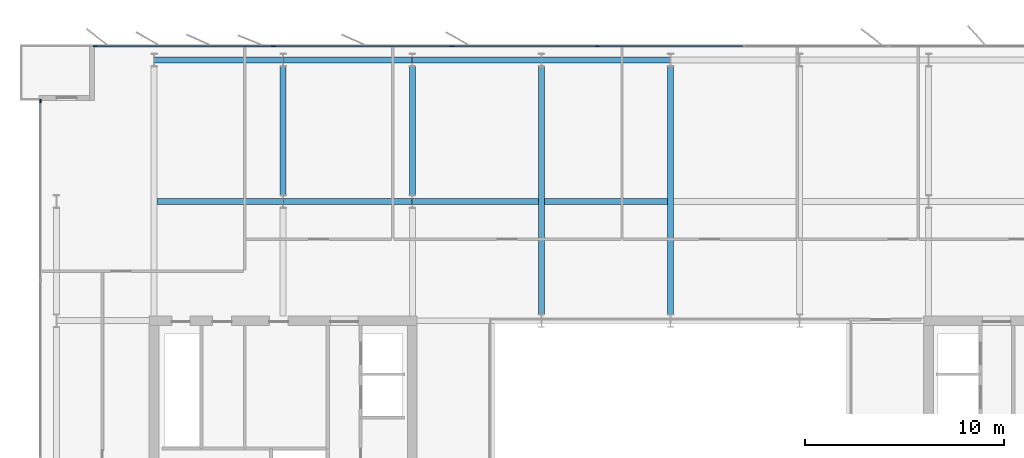
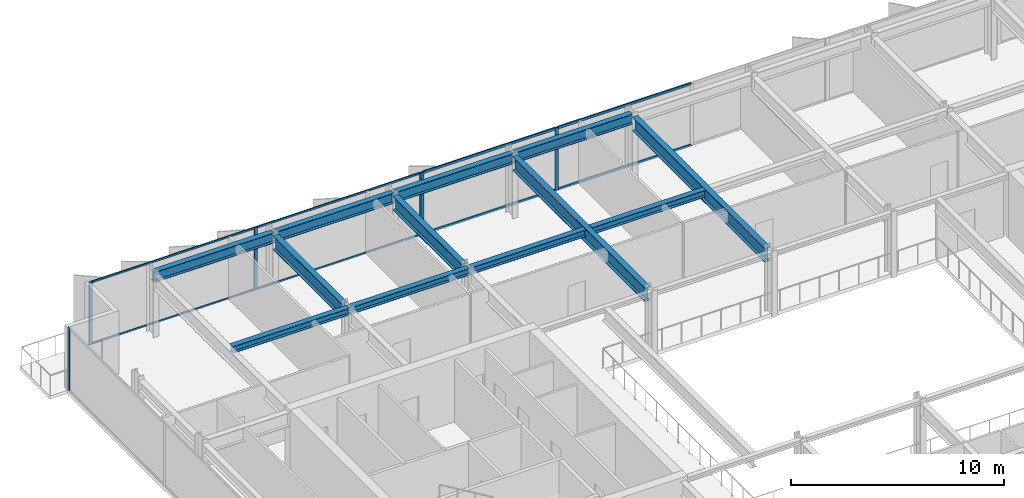
# One storey, part 8 of 20: 14 members, 12 beams, 3 elements without a shape of their own.
"""IFC4 building model written with IfcOpenShell, lengths in metres."""

from ifc_helpers import new_model, si_unit, direction, frame, origin, origin_2d, place, context, subcontext, project, spatial, rectangle, i_section, extrude, material, layer, layer_set, material_profile, profile_set, type_object, element, aggregate, save


model = new_model("IFC4")

# Units and contexts
model_context = context("Model", 3, precision=1e-05, world=origin(), true_north=direction((0.0, 1.0)))
body_context = subcontext(model_context, "Body", "Model", "MODEL_VIEW")
ifc_project = project(units=[si_unit("LENGTHUNIT", "METRE"), si_unit("AREAUNIT", "SQUARE_METRE"), si_unit("VOLUMEUNIT", "CUBIC_METRE"), si_unit("PLANEANGLEUNIT", "RADIAN"), si_unit("MASSUNIT", "GRAM", prefix="KILO")], contexts=[model_context])

# Site, building, storey
site_placement = place(None, origin())
site = spatial("IfcSite", under=ifc_project, at=site_placement, CompositionType="ELEMENT")
building_placement = place(site_placement, origin())
building = spatial("IfcBuilding", under=site, at=building_placement, Name="Putna Gate Headquarters", CompositionType="ELEMENT")
storey_placement = place(building_placement, frame((0.0, 0.0, 270.800048828125)))
storey = spatial("IfcBuildingStorey", under=building, at=storey_placement, Name="L68", CompositionType="ELEMENT", Elevation=270.800048828125)

# Beams
ifc_material_1 = material(Name="Steel S355J2", Category="steel")
ifc_material_profile_1 = material_profile(ifc_material_1, i_section(OverallWidth=0.300048828125, OverallDepth=0.800048828125, WebThickness=0.017578125, FlangeThickness=0.032958984375, at=origin_2d()), Name="Steel S355J2")
ifc_profile_set_1 = profile_set([ifc_material_profile_1], Name="Steel S355J2")
beam_type_1 = type_object("IfcBeamType", Name="BM-GIRD-P-HEB800", PredefinedType="USERDEFINED", material=ifc_profile_set_1)
for number, where, z_axis, x_axis, name in (
    (1, (19.5, 39.322021484375, 3.18798828125), (0.0, 1.0, 0.0), (-1.0, 0.0, 0.0), "L68 North Primary Girder X19-2"),
    (2, (26.0, 39.322021484375, 3.18798828125), (0.0, 1.0, 0.0), (-1.0, 0.0, 0.0), "L68 North Primary Girder X26-2"),
):
    element("IfcBeam", number, at=place(storey_placement, frame(where, z_axis=z_axis, x_axis=x_axis)), inside=storey, type_object=beam_type_1, Name=name, ObjectType="GIRDER", PredefinedType="USERDEFINED", context=body_context, shape_type="SweptSolid", body=[
        extrude(i_section(OverallWidth=0.300048828125, OverallDepth=0.800048828125, WebThickness=0.017578125, FlangeThickness=0.032958984375, at=origin_2d()), origin(), (0.0, 0.0, 1.0), 6.47607421875),
    ])
for number, where, z_axis, x_axis, name in (
    (3, (32.5, 33.322021484375, 3.18798828125), (0.0, 1.0, 0.0), (-1.0, 0.0, 0.0), "L68 North Primary Girder X32"),
    (4, (39.0, 33.322021484375, 3.18798828125), (0.0, 1.0, 0.0), (-1.0, 0.0, 0.0), "L68 North Primary Girder X39"),
):
    element("IfcBeam", number, at=place(storey_placement, frame(where, z_axis=z_axis, x_axis=x_axis)), inside=storey, type_object=beam_type_1, Name=name, ObjectType="GIRDER", PredefinedType="USERDEFINED", context=body_context, shape_type="SweptSolid", body=[
        extrude(i_section(OverallWidth=0.300048828125, OverallDepth=0.800048828125, WebThickness=0.017578125, FlangeThickness=0.032958984375, at=origin_2d()), origin(), (0.0, 0.0, 1.0), 12.47607421875),
    ])
ifc_material_profile_2 = material_profile(ifc_material_1, i_section(OverallWidth=0.300048828125, OverallDepth=0.389892578125, WebThickness=0.010986328125, FlangeThickness=0.01904296875, at=origin_2d()), Name="Steel S355J2")
ifc_profile_set_2 = profile_set([ifc_material_profile_2], Name="Steel S355J2")
beam_type_2 = type_object("IfcBeamType", Name="BM-SEC-Z5-HEA400", PredefinedType="BEAM", material=ifc_profile_set_2)
beam_1_placement = place(storey_placement, frame((13.154052734375, 39.0, 3.39306640625), z_axis=(1.0, 0.0, 0.0), x_axis=(0.0, 1.0, 0.0)))
element("IfcBeam", 5, at=beam_1_placement, inside=storey, type_object=beam_type_2, Name="L68 North Secondary Beam 1", PredefinedType="BEAM", context=body_context, shape_type="SweptSolid", body=[
    extrude(i_section(OverallWidth=0.300048828125, OverallDepth=0.389892578125, WebThickness=0.010986328125, FlangeThickness=0.01904296875, at=origin_2d()), origin(), (0.0, 0.0, 1.0), 6.33984375),
])
beam_2_placement = place(storey_placement, frame((19.506103515625, 39.0, 3.39306640625), z_axis=(1.0, 0.0, 0.0), x_axis=(0.0, 1.0, 0.0)))
element("IfcBeam", 6, at=beam_2_placement, inside=storey, type_object=beam_type_2, Name="L68 North Secondary Beam 2", PredefinedType="BEAM", context=body_context, shape_type="SweptSolid", body=[
    extrude(i_section(OverallWidth=0.300048828125, OverallDepth=0.389892578125, WebThickness=0.010986328125, FlangeThickness=0.01904296875, at=origin_2d()), origin(), (0.0, 0.0, 1.0), 6.48779296875),
])
beam_3_placement = place(storey_placement, frame((26.006103515625, 39.0, 3.39306640625), z_axis=(1.0, 0.0, 0.0), x_axis=(0.0, 1.0, 0.0)))
element("IfcBeam", 7, at=beam_3_placement, inside=storey, type_object=beam_type_2, Name="L68 North Secondary Beam 3", PredefinedType="BEAM", context=body_context, shape_type="SweptSolid", body=[
    extrude(i_section(OverallWidth=0.300048828125, OverallDepth=0.389892578125, WebThickness=0.010986328125, FlangeThickness=0.01904296875, at=origin_2d()), origin(), (0.0, 0.0, 1.0), 6.33984375),
])
beam_4_placement = place(storey_placement, frame((32.654052734375, 39.0, 3.39306640625), z_axis=(1.0, 0.0, 0.0), x_axis=(0.0, 1.0, 0.0)))
element("IfcBeam", 8, at=beam_4_placement, inside=storey, type_object=beam_type_2, Name="L68 North Secondary Beam 4", PredefinedType="BEAM", context=body_context, shape_type="SweptSolid", body=[
    extrude(i_section(OverallWidth=0.300048828125, OverallDepth=0.389892578125, WebThickness=0.010986328125, FlangeThickness=0.01904296875, at=origin_2d()), origin(), (0.0, 0.0, 1.0), 6.19189453125),
])
ifc_material_profile_3 = material_profile(ifc_material_1, i_section(OverallWidth=0.300048828125, OverallDepth=0.590087890625, WebThickness=0.012939453125, FlangeThickness=0.02490234375, at=origin_2d()), Name="Steel S355J2")
ifc_profile_set_3 = profile_set([ifc_material_profile_3], Name="Steel S355J2")
beam_type_3 = type_object("IfcBeamType", Name="BM-SPAN-Z4-HEA600", PredefinedType="SPANDREL", material=ifc_profile_set_3)
for number, where, z_axis, x_axis, name in (
    (9, (13.006103515625, 46.1201171875, 3.29296875), (1.0, 0.0, 0.0), (0.0, 1.0, 0.0), "L68 N Perimeter Spandrel 1"),
    (10, (19.506103515625, 46.1201171875, 3.29296875), (1.0, 0.0, 0.0), (0.0, 1.0, 0.0), "L68 N Perimeter Spandrel 2"),
    (11, (26.006103515625, 46.1201171875, 3.29296875), (1.0, 0.0, 0.0), (0.0, 1.0, 0.0), "L68 N Perimeter Spandrel 3"),
    (12, (32.506103515625, 46.1201171875, 3.29296875), (1.0, 0.0, 0.0), (0.0, 1.0, 0.0), "L68 N Perimeter Spandrel 4"),
):
    element("IfcBeam", number, at=place(storey_placement, frame(where, z_axis=z_axis, x_axis=x_axis)), inside=storey, type_object=beam_type_3, Name=name, PredefinedType="SPANDREL", context=body_context, shape_type="SweptSolid", body=[
        extrude(i_section(OverallWidth=0.300048828125, OverallDepth=0.590087890625, WebThickness=0.012939453125, FlangeThickness=0.02490234375, at=origin_2d()), origin(), (0.0, 0.0, 1.0), 6.48779296875),
    ])

# Curtain wall, members
ifc_material_2 = material(Name="Anodised bronze aluminium curtain wall", Category="aluminium")
ifc_layer_1 = layer(ifc_material_2, 0.179931640625)
ifc_layer_set_1 = layer_set([ifc_layer_1], Name="Anodised bronze aluminium curtain wall")
curtain_wall_type_1 = type_object("IfcCurtainWallType", Name="CW-SYS-Z5", PredefinedType="USERDEFINED", material=ifc_layer_set_1)
curtain_wall_1_placement = place(storey_placement, origin())
curtain_wall_1 = element("IfcCurtainWall", 13, at=curtain_wall_1_placement, inside=storey, type_object=curtain_wall_type_1, Name="L68 North West Curtain Wall", ObjectType="STICK CURTAIN WALL", PredefinedType="USERDEFINED")
ifc_material_3 = material(Name="Anodised bronze aluminium EN AW-6060", Category="aluminium")
ifc_material_profile_4 = material_profile(ifc_material_3, rectangle(XDim=0.070068359375, YDim=0.179931640625, at=origin_2d()), Name="Anodised bronze aluminium EN AW-6060")
ifc_profile_set_4 = profile_set([ifc_material_profile_4], Name="Anodised bronze aluminium EN AW-6060")
member_type_1 = type_object("IfcMemberType", Name="MULL-CWM-5", PredefinedType="MULLION", material=ifc_profile_set_4)
member_1_placement = place(storey_placement, frame((10.034912109375, 46.820068359375, 0.0), z_axis=(0.0, 0.0, 1.0), x_axis=(0.0, 1.0, 0.0)))
member_1 = element("IfcMember", 14, at=member_1_placement, type_object=member_type_1, Name="CWS-5 mullion 1", PredefinedType="MULLION", context=body_context, shape_type="SweptSolid", body=[
    extrude(rectangle(XDim=0.070068359375, YDim=0.179931640625, at=origin_2d()), origin(), (0.0, 0.0, 1.0), 3.587890625),
])
member_2_placement = place(storey_placement, frame((19.0, 46.820068359375, 0.0), z_axis=(0.0, 0.0, 1.0), x_axis=(0.0, 1.0, 0.0)))
member_2 = element("IfcMember", 15, at=member_2_placement, type_object=member_type_1, Name="CWS-5 mullion 2", PredefinedType="MULLION", context=body_context, shape_type="SweptSolid", body=[
    extrude(rectangle(XDim=0.070068359375, YDim=0.179931640625, at=origin_2d()), origin(), (0.0, 0.0, 1.0), 3.587890625),
])
member_3_placement = place(storey_placement, frame((27.965087890625, 46.820068359375, 0.0), z_axis=(0.0, 0.0, 1.0), x_axis=(0.0, 1.0, 0.0)))
member_3 = element("IfcMember", 16, at=member_3_placement, type_object=member_type_1, Name="CWS-5 mullion 3", PredefinedType="MULLION", context=body_context, shape_type="SweptSolid", body=[
    extrude(rectangle(XDim=0.070068359375, YDim=0.179931640625, at=origin_2d()), origin(), (0.0, 0.0, 1.0), 3.587890625),
])

# Curtain wall, member
curtain_wall_2_placement = place(storey_placement, origin())
curtain_wall_2 = element("IfcCurtainWall", 17, at=curtain_wall_2_placement, inside=storey, type_object=curtain_wall_type_1, Name="L68 West Curtain Wall", ObjectType="STICK CURTAIN WALL", PredefinedType="USERDEFINED")
member_4_placement = place(storey_placement, frame((7.280029296875, 44.06494140625, 0.0), z_axis=(0.0, 0.0, 1.0), x_axis=(-1.0, 0.0, 0.0)))
member_4 = element("IfcMember", 18, at=member_4_placement, type_object=member_type_1, Name="CWS-5 mullion 5", PredefinedType="MULLION", context=body_context, shape_type="SweptSolid", body=[
    extrude(rectangle(XDim=0.070068359375, YDim=0.179931640625, at=origin_2d()), origin(), (0.0, 0.0, 1.0), 3.587890625),
])
aggregate(curtain_wall_2, [member_4])

# Curtain wall, members
ifc_layer_2 = layer(ifc_material_2, 0.179931640625)
ifc_layer_set_2 = layer_set([ifc_layer_2], Name="Anodised bronze aluminium curtain wall")
curtain_wall_type_2 = type_object("IfcCurtainWallType", Name="CW-SYS-ATR", PredefinedType="USERDEFINED", material=ifc_layer_set_2)
curtain_wall_3_placement = place(storey_placement, origin())
curtain_wall_3 = element("IfcCurtainWall", 19, at=curtain_wall_3_placement, inside=storey, type_object=curtain_wall_type_2, Name="L68 North Atrium Clear Glazing", ObjectType="ATRIUM GLAZING", PredefinedType="USERDEFINED")
ifc_material_profile_5 = material_profile(ifc_material_3, rectangle(XDim=0.070068359375, YDim=0.179931640625, at=origin_2d()), Name="Anodised bronze aluminium EN AW-6060")
ifc_profile_set_5 = profile_set([ifc_material_profile_5], Name="Anodised bronze aluminium EN AW-6060")
member_type_2 = type_object("IfcMemberType", Name="MULL-CWM-AT", PredefinedType="MULLION", material=ifc_profile_set_5)
member_5_placement = place(storey_placement, frame((28.034912109375, 46.820068359375, 0.0), z_axis=(0.0, 0.0, 1.0), x_axis=(0.0, 1.0, 0.0)))
member_5 = element("IfcMember", 20, at=member_5_placement, type_object=member_type_2, Name="CWS-AT mullion 1", PredefinedType="MULLION", context=body_context, shape_type="SweptSolid", body=[
    extrude(rectangle(XDim=0.070068359375, YDim=0.179931640625, at=origin_2d()), origin(), (0.0, 0.0, 1.0), 3.587890625),
])
member_6_placement = place(storey_placement, frame((35.333251953125, 46.820068359375, 0.0), z_axis=(0.0, 0.0, 1.0), x_axis=(0.0, 1.0, 0.0)))
member_6 = element("IfcMember", 21, at=member_6_placement, type_object=member_type_2, Name="CWS-AT mullion 2", PredefinedType="MULLION", context=body_context, shape_type="SweptSolid", body=[
    extrude(rectangle(XDim=0.070068359375, YDim=0.179931640625, at=origin_2d()), origin(), (0.0, 0.0, 1.0), 3.587890625),
])

# Member
ifc_material_profile_6 = material_profile(ifc_material_3, rectangle(XDim=0.06005859375, YDim=0.10009765625, at=origin_2d()), Name="Anodised bronze aluminium EN AW-6060")
ifc_profile_set_6 = profile_set([ifc_material_profile_6], Name="Anodised bronze aluminium EN AW-6060")
member_type_3 = type_object("IfcMemberType", Name="TRAN-CWT-5", PredefinedType="USERDEFINED", material=ifc_profile_set_6)
member_7_placement = place(storey_placement, frame((10.070068359375, 46.820068359375, 0.030029296875), z_axis=(1.0, 0.0, 0.0), x_axis=(0.0, 1.0, 0.0)))
member_7 = element("IfcMember", 22, at=member_7_placement, type_object=member_type_3, Name="CWS-5 transom 1.1", ObjectType="TRANSOM", PredefinedType="USERDEFINED", context=body_context, shape_type="SweptSolid", body=[
    extrude(rectangle(XDim=0.06005859375, YDim=0.10009765625, at=origin_2d()), origin(), (0.0, 0.0, 1.0), 8.89501953125),
])

member_8_placement = place(storey_placement, frame((10.070068359375, 46.820068359375, 3.557861328125), z_axis=(1.0, 0.0, 0.0), x_axis=(0.0, 1.0, 0.0)))
member_8 = element("IfcMember", 23, at=member_8_placement, type_object=member_type_3, Name="CWS-5 transom 1.2", ObjectType="TRANSOM", PredefinedType="USERDEFINED", context=body_context, shape_type="SweptSolid", body=[
    extrude(rectangle(XDim=0.06005859375, YDim=0.10009765625, at=origin_2d()), origin(), (0.0, 0.0, 1.0), 8.89501953125),
])

member_9_placement = place(storey_placement, frame((19.034912109375, 46.820068359375, 0.030029296875), z_axis=(1.0, 0.0, 0.0), x_axis=(0.0, 1.0, 0.0)))
member_9 = element("IfcMember", 24, at=member_9_placement, type_object=member_type_3, Name="CWS-5 transom 2.1", ObjectType="TRANSOM", PredefinedType="USERDEFINED", context=body_context, shape_type="SweptSolid", body=[
    extrude(rectangle(XDim=0.06005859375, YDim=0.10009765625, at=origin_2d()), origin(), (0.0, 0.0, 1.0), 8.89501953125),
])

member_10_placement = place(storey_placement, frame((19.034912109375, 46.820068359375, 3.557861328125), z_axis=(1.0, 0.0, 0.0), x_axis=(0.0, 1.0, 0.0)))
member_10 = element("IfcMember", 25, at=member_10_placement, type_object=member_type_3, Name="CWS-5 transom 2.2", ObjectType="TRANSOM", PredefinedType="USERDEFINED", context=body_context, shape_type="SweptSolid", body=[
    extrude(rectangle(XDim=0.06005859375, YDim=0.10009765625, at=origin_2d()), origin(), (0.0, 0.0, 1.0), 8.89501953125),
])

aggregate(curtain_wall_1, [member_1, member_2, member_3, member_7, member_8, member_9, member_10])

ifc_material_profile_7 = material_profile(ifc_material_3, rectangle(XDim=0.070068359375, YDim=0.139892578125, at=origin_2d()), Name="Anodised bronze aluminium EN AW-6060")
ifc_profile_set_7 = profile_set([ifc_material_profile_7], Name="Anodised bronze aluminium EN AW-6060")
member_type_4 = type_object("IfcMemberType", Name="TRAN-CWT-AT", PredefinedType="USERDEFINED", material=ifc_profile_set_7)
member_11_placement = place(storey_placement, frame((28.070068359375, 46.820068359375, 0.034912109375), z_axis=(1.0, 0.0, 0.0), x_axis=(0.0, 1.0, 0.0)))
member_11 = element("IfcMember", 26, at=member_11_placement, type_object=member_type_4, Name="CWS-AT transom 1.1", ObjectType="TRANSOM", PredefinedType="USERDEFINED", context=body_context, shape_type="SweptSolid", body=[
    extrude(rectangle(XDim=0.070068359375, YDim=0.139892578125, at=origin_2d()), origin(), (0.0, 0.0, 1.0), 7.228271484375),
])

member_12_placement = place(storey_placement, frame((28.070068359375, 46.820068359375, 3.552978515625), z_axis=(1.0, 0.0, 0.0), x_axis=(0.0, 1.0, 0.0)))
member_12 = element("IfcMember", 27, at=member_12_placement, type_object=member_type_4, Name="CWS-AT transom 1.2", ObjectType="TRANSOM", PredefinedType="USERDEFINED", context=body_context, shape_type="SweptSolid", body=[
    extrude(rectangle(XDim=0.070068359375, YDim=0.139892578125, at=origin_2d()), origin(), (0.0, 0.0, 1.0), 7.228271484375),
])

member_13_placement = place(storey_placement, frame((35.368408203125, 46.820068359375, 0.034912109375), z_axis=(1.0, 0.0, 0.0), x_axis=(0.0, 1.0, 0.0)))
member_13 = element("IfcMember", 28, at=member_13_placement, type_object=member_type_4, Name="CWS-AT transom 2.1", ObjectType="TRANSOM", PredefinedType="USERDEFINED", context=body_context, shape_type="SweptSolid", body=[
    extrude(rectangle(XDim=0.070068359375, YDim=0.139892578125, at=origin_2d()), origin(), (0.0, 0.0, 1.0), 7.26318359375),
])

member_14_placement = place(storey_placement, frame((35.368408203125, 46.820068359375, 3.552978515625), z_axis=(1.0, 0.0, 0.0), x_axis=(0.0, 1.0, 0.0)))
member_14 = element("IfcMember", 29, at=member_14_placement, type_object=member_type_4, Name="CWS-AT transom 2.2", ObjectType="TRANSOM", PredefinedType="USERDEFINED", context=body_context, shape_type="SweptSolid", body=[
    extrude(rectangle(XDim=0.070068359375, YDim=0.139892578125, at=origin_2d()), origin(), (0.0, 0.0, 1.0), 7.26318359375),
])

aggregate(curtain_wall_3, [member_5, member_6, member_11, member_12, member_13, member_14])

save(model, "model.ifc")
